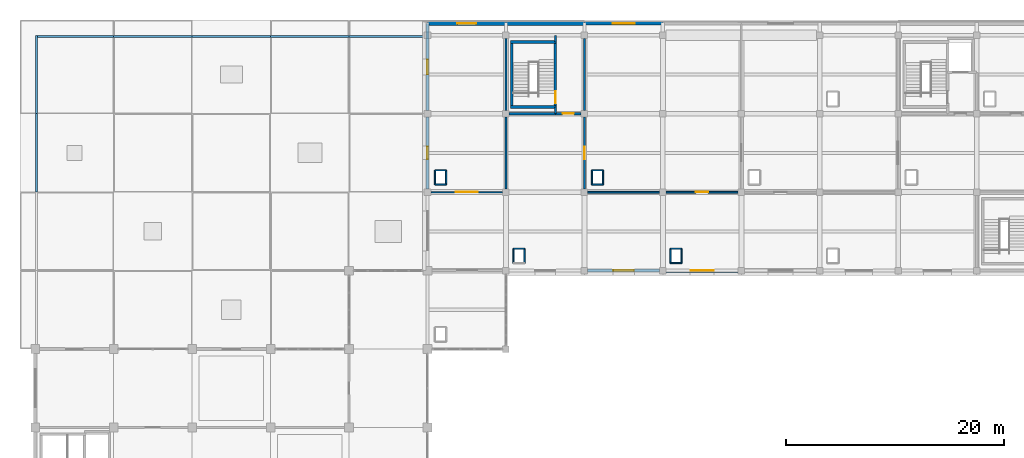
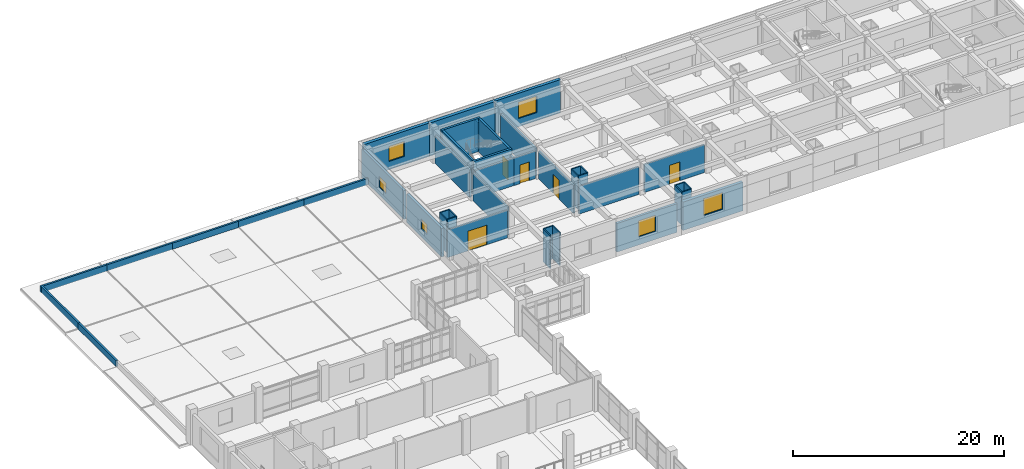
# One storey, part 52 of 62: 44 walls, 6 windows, 5 doors, 11 openings.
"""IFC4 building model written with IfcOpenShell, lengths in metres."""

import ifcopenshell
import ifcopenshell.guid

model = None  # the IFC model being written
_history = None  # IfcOwnerHistory: only IFC2X3 demands one
_inside = {}  # id of a spatial element -> (the spatial element, [elements in it])
_under = {}  # id of a project, library or spatial element -> (it, [spatial elements below it])
_declared = {}  # id of a project -> (the project, [libraries it declares])
_typed = {}  # id of a type object -> (the type object, [elements of that type])
_made_of = {}  # id of a material, layer set ... -> (it, [elements and type objects made of it])


def new_model(schema):
    """Start an empty IFC model of exactly this schema.

    Asked for "IFC4X3", IfcOpenShell would pick the latest addendum, in which some entities
    have other attributes; the version numbers below select the first issue.
    IFC2X3 requires an IfcOwnerHistory on every rooted entity: one is made here for all.
    """
    global model, _history
    if schema == "IFC4X3":
        model = ifcopenshell.file(schema_version=(4, 3, 0, 0))
    else:
        model = ifcopenshell.file(schema=schema)
    _inside.clear()
    _under.clear()
    _declared.clear()
    _typed.clear()
    _made_of.clear()
    _history = None
    if model.schema == "IFC2X3":
        org = make("IfcOrganization", Name="unknown")
        user = make(
            "IfcPersonAndOrganization",
            ThePerson=make("IfcPerson", FamilyName="unknown"),
            TheOrganization=org,
        )
        app = make(
            "IfcApplication",
            ApplicationDeveloper=org,
            Version="unknown",
            ApplicationFullName="unknown",
            ApplicationIdentifier="unknown",
        )
        _history = make(
            "IfcOwnerHistory",
            OwningUser=user,
            OwningApplication=app,
            ChangeAction="ADDED",
            CreationDate=0,
        )
    return model


def make(cls, **values):
    """One entity of the class cls with the attributes given. An attribute that is None is left unset."""
    return model.create_entity(
        cls, **{name: value for name, value in values.items() if value is not None}
    )


def rooted(cls, **values):
    """An entity with a GlobalId (a new one), such as an element, a storey or a relation."""
    return make(cls, GlobalId=ifcopenshell.guid.new(), OwnerHistory=_history, **values)


def si_unit(unit_type, name, prefix=None):
    """IfcSIUnit, for example si_unit("LENGTHUNIT", "METRE", prefix="MILLI")."""
    return make("IfcSIUnit", UnitType=unit_type, Prefix=prefix, Name=name)


def assignment(units):
    """IfcUnitAssignment: the units of a project."""
    return None if units is None else make("IfcUnitAssignment", Units=units)


def point(xyz):
    """IfcCartesianPoint."""
    return None if xyz is None else make("IfcCartesianPoint", Coordinates=xyz)


def direction(xyz):
    """IfcDirection."""
    return None if xyz is None else make("IfcDirection", DirectionRatios=xyz)


def frame(location, z_axis=None, x_axis=None):
    """IfcAxis2Placement3D, a coordinate frame: its origin and axes. An axis left out is left unset."""
    return make(
        "IfcAxis2Placement3D",
        Location=point(location),
        Axis=direction(z_axis),
        RefDirection=direction(x_axis),
    )


def frame_2d(location, x_axis=None):
    """IfcAxis2Placement2D, a coordinate frame in the plane: its origin and x axis."""
    return make(
        "IfcAxis2Placement2D", Location=point(location), RefDirection=direction(x_axis)
    )


def origin():
    """The frame at (0, 0, 0) with its axes left unset."""
    return frame((0.0, 0.0, 0.0))


def place(relative_to, where):
    """IfcLocalPlacement: puts the frame where relative to a parent placement (None: the world)."""
    return make(
        "IfcLocalPlacement", PlacementRelTo=relative_to, RelativePlacement=where
    )


def context(
    kind, dimensions, precision=None, world=None, true_north=None, identifier=None
):
    """IfcGeometricRepresentationContext, for example the 3D "Model" context."""
    return make(
        "IfcGeometricRepresentationContext",
        ContextIdentifier=identifier,
        ContextType=kind,
        CoordinateSpaceDimension=dimensions,
        Precision=precision,
        WorldCoordinateSystem=world,
        TrueNorth=true_north,
    )


def subcontext(parent, identifier, kind, view, scale=None):
    """IfcGeometricRepresentationSubContext, for example "Body" below "Model"."""
    return make(
        "IfcGeometricRepresentationSubContext",
        ContextIdentifier=identifier,
        ContextType=kind,
        ParentContext=parent,
        TargetScale=scale,
        TargetView=view,
    )


def project(units=None, contexts=None):
    """IfcProject with its units and contexts."""
    return rooted(
        "IfcProject",
        Name="project",
        RepresentationContexts=contexts,
        UnitsInContext=assignment(units),
    )


def spatial(cls, under=None, at=None, **own):
    """A site, building, storey or space (cls), placed at a placement, below another one or the project."""
    s = rooted(cls, ObjectPlacement=at, **own)
    if under is not None:
        _under.setdefault(under.id(), (under, []))[1].append(s)
    return s


def profile(cls, at=None, kind="AREA", **sizes):
    """A parametric profile (cls). Its sizes go by their IFC names, for example OverallWidth=200.0."""
    return make(cls, ProfileType=kind, Position=at, **sizes)


def rectangle(**sizes):
    """IfcRectangleProfileDef."""
    return profile("IfcRectangleProfileDef", **sizes)


def extrude(swept, where, along, depth):
    """IfcExtrudedAreaSolid: the profile swept, set in the frame where, extruded along a direction by depth."""
    return make(
        "IfcExtrudedAreaSolid",
        SweptArea=swept,
        Position=where,
        ExtrudedDirection=direction(along),
        Depth=depth,
    )


def shape(context_of_items, identifier, shape_type, items):
    """IfcShapeRepresentation: the items that make up one representation, for example the "Body"."""
    return make(
        "IfcShapeRepresentation",
        ContextOfItems=context_of_items,
        RepresentationIdentifier=identifier,
        RepresentationType=shape_type,
        Items=items,
    )


def material(Name=None, Category=None):
    """IfcMaterial."""
    return make("IfcMaterial", Name=Name, Category=Category)


def layer(
    of_material, thickness, ventilated=None, Name=None, Category=None, Priority=None
):
    """IfcMaterialLayer: one layer of a wall or slab, of a material (None: an air gap)."""
    return make(
        "IfcMaterialLayer",
        Material=of_material,
        LayerThickness=thickness,
        IsVentilated=ventilated,
        Name=Name,
        Category=Category,
        Priority=Priority,
    )


def layer_set(layers, Name=None):
    """IfcMaterialLayerSet."""
    return make("IfcMaterialLayerSet", MaterialLayers=layers, LayerSetName=Name)


def made_of(thing, what):
    """Note that an element or type object is made of a material, layer set ...; save() writes the relation."""
    if what is not None:
        _made_of.setdefault(what.id(), (what, []))[1].append(thing)
    return thing


def type_object(cls, material=None, **own):
    """A type object (cls), such as IfcWallType, which elements share."""
    return made_of(rooted(cls, **own), material)


def element(
    cls,
    number,
    at=None,
    inside=None,
    cuts=None,
    type_object=None,
    material=None,
    context=None,
    identifier="Body",
    shape_type=None,
    held_by="IfcProductDefinitionShape",
    body=None,
    shapes=None,
    **own,
):
    """One element of the class cls, such as IfcWall. Its Tag is "e" and its number.

    at: its placement. inside: the storey or other place that contains it. cuts: it is an
    opening in that element (IfcRelVoidsElement). A single representation is given by context,
    identifier, shape_type and body (its items); several are given by shapes. held_by: the class
    of the entity that holds the representations. save() writes the other relations.
    """
    e = rooted(cls, Tag="e%d" % number, ObjectPlacement=at, **own)
    if body is not None:
        shapes = [shape(context, identifier, shape_type, body)]
    if shapes is not None:
        e.Representation = make(held_by, Representations=shapes)
    if inside is not None:
        _inside.setdefault(inside.id(), (inside, []))[1].append(e)
    if cuts is not None:
        rooted(
            "IfcRelVoidsElement", RelatingBuildingElement=cuts, RelatedOpeningElement=e
        )
    if type_object is not None:
        _typed.setdefault(type_object.id(), (type_object, []))[1].append(e)
    return made_of(e, material)


def fill(opening, filler):
    """IfcRelFillsElement: the door or window that sits in an opening."""
    return rooted(
        "IfcRelFillsElement",
        RelatingOpeningElement=opening,
        RelatedBuildingElement=filler,
    )


def aggregate(whole, parts):
    """IfcRelAggregates: a whole, such as a stair, and the parts it consists of."""
    return rooted("IfcRelAggregates", RelatingObject=whole, RelatedObjects=parts)


def save(model, path):
    """Write the relations noted so far, then the file.

    IfcRelAggregates (storeys below a building ...), IfcRelContainedInSpatialStructure (elements
    in a storey), IfcRelDefinesByType, IfcRelAssociatesMaterial and IfcRelDeclares: one each for
    every whole, place, type object, material and project.
    """
    for whole, parts in _under.values():
        aggregate(whole, parts)
    for where, things in _inside.values():
        rooted(
            "IfcRelContainedInSpatialStructure",
            RelatedElements=things,
            RelatingStructure=where,
        )
    for kind, things in _typed.values():
        rooted("IfcRelDefinesByType", RelatedObjects=things, RelatingType=kind)
    for what, things in _made_of.values():
        rooted("IfcRelAssociatesMaterial", RelatedObjects=things, RelatingMaterial=what)
    for by, libraries in _declared.values():
        rooted("IfcRelDeclares", RelatingContext=by, RelatedDefinitions=libraries)
    model.write(path)


model = new_model("IFC4")

# Units and contexts
model_context = context("Model", 3, precision=1e-05, world=origin(), true_north=direction((0.0, 1.0)))
body_context = subcontext(model_context, "Body", "Model", "MODEL_VIEW")
ifc_project = project(units=[si_unit("LENGTHUNIT", "METRE"), si_unit("AREAUNIT", "SQUARE_METRE"), si_unit("VOLUMEUNIT", "CUBIC_METRE"), si_unit("PLANEANGLEUNIT", "RADIAN"), si_unit("MASSUNIT", "GRAM", prefix="KILO")], contexts=[model_context])

# Site, building, storey
site_placement = place(None, origin())
site = spatial("IfcSite", under=ifc_project, at=site_placement, CompositionType="ELEMENT")
building_placement = place(site_placement, origin())
building = spatial("IfcBuilding", under=site, at=building_placement, Name="Kavelor Marine Aquarium", CompositionType="ELEMENT")
storey_placement = place(building_placement, frame((0.0, 0.0, 13.5)))
storey = spatial("IfcBuildingStorey", under=building, at=storey_placement, Name="L03", CompositionType="ELEMENT", Elevation=13.5)

# Wall
ifc_material_1 = material(Name="Concrete C45/55", Category="concrete")
ifc_layer_1 = layer(ifc_material_1, 0.360107421875)
ifc_layer_set_1 = layer_set([ifc_layer_1], Name="WL-EX1")
wall_type_1 = type_object("IfcWallType", Name="WL-EX1", PredefinedType="STANDARD", material=ifc_layer_set_1)
wall_1_placement = place(storey_placement, frame((46.39990234375, 111.8798828125, 0.0), z_axis=(0.0, 0.0, 1.0), x_axis=(1.0, 0.0, 0.0)))
element("IfcWall", 1, at=wall_1_placement, inside=storey, type_object=wall_type_1, Name="ew:x:L03:06_15", PredefinedType="STANDARD", context=body_context, shape_type="SweptSolid", body=[
    extrude(rectangle(XDim=7.2001953125, YDim=0.360107421875, at=frame_2d((3.60009765625, 0.0))), origin(), (0.0, 0.0, 1.0), 3.85009765625),
])

# Wall, opening, window
ifc_material_2 = material(Name="Concrete C45/55", Category="concrete")
ifc_layer_2 = layer(ifc_material_2, 0.320068359375)
ifc_layer_set_2 = layer_set([ifc_layer_2], Name="WL-EX2")
wall_type_2 = type_object("IfcWallType", Name="WL-EX2", PredefinedType="STANDARD", material=ifc_layer_set_2)
wall_2_placement = place(storey_placement, frame((53.60009765625, 111.8798828125, 0.0), z_axis=(0.0, 0.0, 1.0), x_axis=(1.0, 0.0, 0.0)))
wall_2 = element("IfcWall", 2, at=wall_2_placement, inside=storey, type_object=wall_type_2, Name="ew:x:L03:07_15", PredefinedType="STANDARD", context=body_context, shape_type="SweptSolid", body=[
    extrude(rectangle(XDim=7.199951171875, YDim=0.320068359375, at=frame_2d((3.60009765625, 0.0))), origin(), (0.0, 0.0, 1.0), 3.8701171875),
])
opening_1_placement = place(wall_2_placement, frame((2.60009765625, 0.0, 0.949951171875)))
opening_1 = element("IfcOpeningElement", 3, at=opening_1_placement, cuts=wall_2, Name="Opening W10", PredefinedType="OPENING", context=body_context, shape_type="SweptSolid", body=[
    extrude(rectangle(XDim=2.0, YDim=1.89990234375, at=frame_2d((1.0, 0.949951171875))), frame((0.0, 0.169921875, 0.0), z_axis=(0.0, -1.0, 0.0), x_axis=(1.0, 0.0, 0.0)), (0.0, 0.0, 1.0), 0.340068),
])
ifc_material_3 = material(Name="Anodised Aluminium Frame with Low-E Double Glazing", Category="aluminium")
window_type_1 = type_object("IfcWindowType", Name="WIN-W10", PartitioningType="DOUBLE_PANEL_VERTICAL", PredefinedType="WINDOW", material=ifc_material_3)
window_1_placement = place(opening_1_placement, origin())
window_1 = element("IfcWindow", 4, at=window_1_placement, inside=storey, type_object=window_type_1, Name="win:x:L03:07_15", OverallHeight=1.89990234375, OverallWidth=2.0, PartitioningType="SINGLE_PANEL", PredefinedType="WINDOW", context=body_context, shape_type="SweptSolid", body=[
    extrude(rectangle(XDim=2.0, YDim=1.89990234375, at=frame_2d((1.0, 0.949951171875))), frame((0.0, 0.030029296875, 0.0), z_axis=(0.0, -1.0, 0.0), x_axis=(1.0, 0.0, 0.0)), (0.0, 0.0, 1.0), 0.06005859375),
])
fill(opening_1, window_1)

ifc_material_4 = material(Name="Concrete C40/50", Category="concrete")
ifc_layer_3 = layer(ifc_material_4, 0.280029296875)
ifc_layer_set_3 = layer_set([ifc_layer_3], Name="WL-EX4")
wall_type_3 = type_object("IfcWallType", Name="WL-EX4", PredefinedType="STANDARD", material=ifc_layer_set_3)
wall_3_placement = place(storey_placement, frame((39.199951171875, 96.695068359375, 0.0), z_axis=(0.0, 0.0, 1.0), x_axis=(0.0, 1.0, 0.0)))
wall_3 = element("IfcWall", 5, at=wall_3_placement, inside=storey, type_object=wall_type_3, Name="ew:y:L03:05_13", PredefinedType="STANDARD", context=body_context, shape_type="SweptSolid", body=[
    extrude(rectangle(XDim=6.60986328125, YDim=0.280029296875, at=frame_2d((3.304931640625, 0.0))), origin(), (0.0, 0.0, 1.0), 3.320068359375),
])
opening_2_placement = place(wall_3_placement, frame((2.72998046875, 0.0, 0.949951171875)))
opening_2 = element("IfcOpeningElement", 6, at=opening_2_placement, cuts=wall_3, Name="Opening W25", PredefinedType="OPENING", context=body_context, shape_type="SweptSolid", body=[
    extrude(rectangle(XDim=1.14990234375, YDim=1.14990234375, at=frame_2d((0.574951171875, 0.574951171875))), frame((0.0, 0.14990234375, 0.0), z_axis=(0.0, -1.0, 0.0), x_axis=(1.0, 0.0, 0.0)), (0.0, 0.0, 1.0), 0.300029),
])
ifc_material_5 = material(Name="Anodised Aluminium Frame with Low-E Double Glazing", Category="aluminium")
window_type_2 = type_object("IfcWindowType", Name="WIN-W25", PartitioningType="SINGLE_PANEL", PredefinedType="WINDOW", material=ifc_material_5)
window_2_placement = place(opening_2_placement, origin())
window_2 = element("IfcWindow", 7, at=window_2_placement, inside=storey, type_object=window_type_2, Name="win:y:L03:05_13", OverallHeight=1.14990234375, OverallWidth=1.14990234375, PartitioningType="SINGLE_PANEL", PredefinedType="WINDOW", context=body_context, shape_type="SweptSolid", body=[
    extrude(rectangle(XDim=1.14990234375, YDim=1.14990234375, at=frame_2d((0.574951171875, 0.574951171875))), frame((0.0, 0.030029296875, 0.0), z_axis=(0.0, -1.0, 0.0), x_axis=(1.0, 0.0, 0.0)), (0.0, 0.0, 1.0), 0.06005859375),
])
fill(opening_2, window_2)

ifc_material_6 = material(Name="Concrete C40/50", Category="concrete")
ifc_layer_4 = layer(ifc_material_6, 0.260009765625)
ifc_layer_set_4 = layer_set([ifc_layer_4], Name="WL-EX5")
wall_type_4 = type_object("IfcWallType", Name="WL-EX5", PredefinedType="STANDARD", material=ifc_layer_set_4)
wall_4_placement = place(storey_placement, frame((60.5048828125, 89.199951171875, 0.0), z_axis=(0.0, 0.0, 1.0), x_axis=(-1.0, 0.0, 0.0)))
wall_4 = element("IfcWall", 8, at=wall_4_placement, inside=storey, type_object=wall_type_4, Name="ew:x:L03:07_12", PredefinedType="STANDARD", context=body_context, shape_type="SweptSolid", body=[
    extrude(rectangle(XDim=6.60986328125, YDim=0.260009765625, at=frame_2d((3.304931640625, 0.0))), origin(), (0.0, 0.0, 1.0), 3.320068359375),
])
opening_3_placement = place(wall_4_placement, frame((2.35498046875, 0.0, 0.949951171875)))
opening_3 = element("IfcOpeningElement", 9, at=opening_3_placement, cuts=wall_4, Name="Opening W09", PredefinedType="OPENING", context=body_context, shape_type="SweptSolid", body=[
    extrude(rectangle(XDim=1.89990234375, YDim=1.85009765625, at=frame_2d((0.949951171875, 0.925048828125))), frame((0.0, 0.139892578125, 0.0), z_axis=(0.0, -1.0, 0.0), x_axis=(1.0, 0.0, 0.0)), (0.0, 0.0, 1.0), 0.28001),
])
ifc_material_7 = material(Name="Anodised Aluminium Frame with Low-E Double Glazing", Category="aluminium")
window_type_3 = type_object("IfcWindowType", Name="WIN-W09", PartitioningType="DOUBLE_PANEL_VERTICAL", PredefinedType="WINDOW", material=ifc_material_7)
window_3_placement = place(opening_3_placement, origin())
window_3 = element("IfcWindow", 10, at=window_3_placement, inside=storey, type_object=window_type_3, Name="win:x:L03:07_12", OverallHeight=1.85009765625, OverallWidth=1.89990234375, PartitioningType="SINGLE_PANEL", PredefinedType="WINDOW", context=body_context, shape_type="SweptSolid", body=[
    extrude(rectangle(XDim=1.89990234375, YDim=1.85009765625, at=frame_2d((0.949951171875, 0.925048828125))), frame((0.0, 0.030029296875, 0.0), z_axis=(0.0, -1.0, 0.0), x_axis=(1.0, 0.0, 0.0)), (0.0, 0.0, 1.0), 0.06005859375),
])
fill(opening_3, window_3)

wall_5_placement = place(storey_placement, frame((39.199951171875, 103.89501953125, 0.0), z_axis=(0.0, 0.0, 1.0), x_axis=(0.0, 1.0, 0.0)))
wall_5 = element("IfcWall", 11, at=wall_5_placement, inside=storey, type_object=wall_type_4, Name="ew:y:L03:05_14", PredefinedType="STANDARD", context=body_context, shape_type="SweptSolid", body=[
    extrude(rectangle(XDim=7.98486328125, YDim=0.260009765625, at=frame_2d((3.992431640625, 0.0))), origin(), (0.0, 0.0, 1.0), 3.320068359375),
])
opening_4_placement = place(wall_5_placement, frame((3.3173828125, 0.0, 0.949951171875)))
opening_4 = element("IfcOpeningElement", 12, at=opening_4_placement, cuts=wall_5, Name="Opening W26", PredefinedType="OPENING", context=body_context, shape_type="SweptSolid", body=[
    extrude(rectangle(XDim=1.35009765625, YDim=1.199951171875, at=frame_2d((0.675048828125, 0.60009765625))), frame((0.0, 0.139892578125, 0.0), z_axis=(0.0, -1.0, 0.0), x_axis=(1.0, 0.0, 0.0)), (0.0, 0.0, 1.0), 0.28001),
])
ifc_material_8 = material(Name="Anodised Aluminium Frame with Low-E Double Glazing", Category="aluminium")
window_type_4 = type_object("IfcWindowType", Name="WIN-W26", PartitioningType="SINGLE_PANEL", PredefinedType="WINDOW", material=ifc_material_8)
window_4_placement = place(opening_4_placement, origin())
window_4 = element("IfcWindow", 13, at=window_4_placement, inside=storey, type_object=window_type_4, Name="win:y:L03:05_14", OverallHeight=1.199951171875, OverallWidth=1.35009765625, PartitioningType="SINGLE_PANEL", PredefinedType="WINDOW", context=body_context, shape_type="SweptSolid", body=[
    extrude(rectangle(XDim=1.35009765625, YDim=1.199951171875, at=frame_2d((0.675048828125, 0.60009765625))), frame((0.0, 0.030029296875, 0.0), z_axis=(0.0, -1.0, 0.0), x_axis=(1.0, 0.0, 0.0)), (0.0, 0.0, 1.0), 0.06005859375),
])
fill(opening_4, window_4)

ifc_material_9 = material(Name="Concrete C45/55", Category="concrete")
ifc_layer_5 = layer(ifc_material_9, 0.340087890625)
ifc_layer_set_5 = layer_set([ifc_layer_5], Name="WL-EX6")
wall_type_5 = type_object("IfcWallType", Name="WL-EX6", PredefinedType="STANDARD", material=ifc_layer_set_5)
wall_6_placement = place(storey_placement, frame((39.199951171875, 111.8798828125, 0.0), z_axis=(0.0, 0.0, 1.0), x_axis=(1.0, 0.0, 0.0)))
wall_6 = element("IfcWall", 14, at=wall_6_placement, inside=storey, type_object=wall_type_5, Name="ew:x:L03:05_15", PredefinedType="STANDARD", context=body_context, shape_type="SweptSolid", body=[
    extrude(rectangle(XDim=7.199951171875, YDim=0.340087890625, at=frame_2d((3.60009765625, 0.0))), origin(), (0.0, 0.0, 1.0), 3.8701171875),
])
opening_5_placement = place(wall_6_placement, frame((2.75, 0.0, 0.949951171875)))
opening_5 = element("IfcOpeningElement", 15, at=opening_5_placement, cuts=wall_6, Name="Opening W07", PredefinedType="OPENING", context=body_context, shape_type="SweptSolid", body=[
    extrude(rectangle(XDim=1.699951171875, YDim=1.75, at=frame_2d((0.85009765625, 0.875))), frame((0.0, 0.179931640625, 0.0), z_axis=(0.0, -1.0, 0.0), x_axis=(1.0, 0.0, 0.0)), (0.0, 0.0, 1.0), 0.360088),
])
ifc_material_10 = material(Name="Anodised Aluminium Frame with Low-E Double Glazing", Category="aluminium")
window_type_5 = type_object("IfcWindowType", Name="WIN-W07", PartitioningType="SINGLE_PANEL", PredefinedType="WINDOW", material=ifc_material_10)
window_5_placement = place(opening_5_placement, origin())
window_5 = element("IfcWindow", 16, at=window_5_placement, inside=storey, type_object=window_type_5, Name="win:x:L03:05_15", OverallHeight=1.75, OverallWidth=1.699951171875, PartitioningType="SINGLE_PANEL", PredefinedType="WINDOW", context=body_context, shape_type="SweptSolid", body=[
    extrude(rectangle(XDim=1.699951171875, YDim=1.75, at=frame_2d((0.85009765625, 0.875))), frame((0.0, 0.030029296875, 0.0), z_axis=(0.0, -1.0, 0.0), x_axis=(1.0, 0.0, 0.0)), (0.0, 0.0, 1.0), 0.06005859375),
])
fill(opening_5, window_5)

wall_7_placement = place(storey_placement, frame((67.705078125, 89.199951171875, 0.0), z_axis=(0.0, 0.0, 1.0), x_axis=(-1.0, 0.0, 0.0)))
wall_7 = element("IfcWall", 17, at=wall_7_placement, inside=storey, type_object=wall_type_5, Name="ew:x:L03:08_12", PredefinedType="STANDARD", context=body_context, shape_type="SweptSolid", body=[
    extrude(rectangle(XDim=6.610107421875, YDim=0.340087890625, at=frame_2d((3.30517578125, 0.0))), origin(), (0.0, 0.0, 1.0), 3.300048828125),
])
opening_6_placement = place(wall_7_placement, frame((2.2548828125, 0.0, 0.949951171875)))
opening_6 = element("IfcOpeningElement", 18, at=opening_6_placement, cuts=wall_7, Name="Opening W11", PredefinedType="OPENING", context=body_context, shape_type="SweptSolid", body=[
    extrude(rectangle(XDim=2.10009765625, YDim=1.949951171875, at=frame_2d((1.050048828125, 0.97509765625))), frame((0.0, 0.179931640625, 0.0), z_axis=(0.0, -1.0, 0.0), x_axis=(1.0, 0.0, 0.0)), (0.0, 0.0, 1.0), 0.360088),
])
ifc_material_11 = material(Name="Anodised Aluminium Frame with Low-E Double Glazing", Category="aluminium")
window_type_6 = type_object("IfcWindowType", Name="WIN-W11", PartitioningType="DOUBLE_PANEL_VERTICAL", PredefinedType="WINDOW", material=ifc_material_11)
window_6_placement = place(opening_6_placement, origin())
window_6 = element("IfcWindow", 19, at=window_6_placement, inside=storey, type_object=window_type_6, Name="win:x:L03:08_12", OverallHeight=1.949951171875, OverallWidth=2.10009765625, PartitioningType="SINGLE_PANEL", PredefinedType="WINDOW", context=body_context, shape_type="SweptSolid", body=[
    extrude(rectangle(XDim=2.10009765625, YDim=1.949951171875, at=frame_2d((1.050048828125, 0.97509765625))), frame((0.0, 0.030029296875, 0.0), z_axis=(0.0, -1.0, 0.0), x_axis=(1.0, 0.0, 0.0)), (0.0, 0.0, 1.0), 0.06005859375),
])
fill(opening_6, window_6)

# Walls
ifc_material_12 = material(Name="Concrete C40/50", Category="concrete")
ifc_layer_6 = layer(ifc_material_12, 0.199951171875)
ifc_layer_set_6 = layer_set([ifc_layer_6], Name="WL-PR3")
wall_type_6 = type_object("IfcWallType", Name="WL-PR3", PredefinedType="PARAPET", material=ifc_layer_set_6)
wall_8_placement = place(storey_placement, frame((3.320068359375, 96.39990234375, 0.0), z_axis=(0.0, 0.0, 1.0), x_axis=(0.0, 1.0, 0.0)))
element("IfcWall", 20, at=wall_8_placement, inside=storey, type_object=wall_type_6, Name="par:w:L03:00_13", PredefinedType="PARAPET", context=body_context, shape_type="SweptSolid", body=[
    extrude(rectangle(XDim=7.2001953125, YDim=0.199951171875, at=frame_2d((3.60009765625, 0.0))), origin(), (0.0, 0.0, 1.0), 0.719970703125),
])
for number, where, z_axis, x_axis, name in (
    (21, (3.199951171875, 110.679931640625, 0.0), (0.0, 0.0, 1.0), (1.0, 0.0, 0.0), "par:n:L03:00_14"),
    (22, (3.320068359375, 103.60009765625, 0.0), (0.0, 0.0, 1.0), (0.0, 1.0, 0.0), "par:w:L03:00_14"),
):
    element("IfcWall", number, at=place(storey_placement, frame(where, z_axis=z_axis, x_axis=x_axis)), inside=storey, type_object=wall_type_6, Name=name, PredefinedType="PARAPET", context=body_context, shape_type="SweptSolid", body=[
        extrude(rectangle(XDim=7.199951171875, YDim=0.199951171875, at=frame_2d((3.60009765625, 0.0))), origin(), (0.0, 0.0, 1.0), 0.719970703125),
    ])
wall_9_placement = place(storey_placement, frame((10.39990234375, 110.679931640625, 0.0), z_axis=(0.0, 0.0, 1.0), x_axis=(1.0, 0.0, 0.0)))
element("IfcWall", 23, at=wall_9_placement, inside=storey, type_object=wall_type_6, Name="par:n:L03:01_14", PredefinedType="PARAPET", context=body_context, shape_type="SweptSolid", body=[
    extrude(rectangle(XDim=7.2001953125, YDim=0.199951171875, at=frame_2d((3.60009765625, 0.0))), origin(), (0.0, 0.0, 1.0), 0.719970703125),
])
for number, where, z_axis, x_axis, name in (
    (24, (17.60009765625, 110.679931640625, 0.0), (0.0, 0.0, 1.0), (1.0, 0.0, 0.0), "par:n:L03:02_14"),
    (25, (24.800048828125, 110.679931640625, 0.0), (0.0, 0.0, 1.0), (1.0, 0.0, 0.0), "par:n:L03:03_14"),
    (26, (32.0, 110.679931640625, 0.0), (0.0, 0.0, 1.0), (1.0, 0.0, 0.0), "par:n:L03:04_14"),
):
    element("IfcWall", number, at=place(storey_placement, frame(where, z_axis=z_axis, x_axis=x_axis)), inside=storey, type_object=wall_type_6, Name=name, PredefinedType="PARAPET", context=body_context, shape_type="SweptSolid", body=[
        extrude(rectangle(XDim=7.199951171875, YDim=0.199951171875, at=frame_2d((3.60009765625, 0.0))), origin(), (0.0, 0.0, 1.0), 0.719970703125),
    ])
ifc_material_13 = material(Name="Concrete Blockwork Partition", Category="masonry")
ifc_layer_7 = layer(ifc_material_13, 0.199951171875)
ifc_layer_set_7 = layer_set([ifc_layer_7], Name="WL-PT1")
wall_type_7 = type_object("IfcWallType", Name="WL-PT1", PredefinedType="PARTITIONING", material=ifc_layer_set_7)
wall_10_placement = place(storey_placement, frame((50.93994140625, 103.60009765625, 0.0), z_axis=(0.0, 0.0, 1.0), x_axis=(0.0, 1.0, 0.0)))
element("IfcWall", 27, at=wall_10_placement, inside=storey, type_object=wall_type_7, Name="pt:st_close:s:C05:L03", PredefinedType="PARTITIONING", context=body_context, shape_type="SweptSolid", body=[
    extrude(rectangle(XDim=0.619873046875, YDim=0.199951171875, at=frame_2d((0.31005859375, 0.0))), origin(), (0.0, 0.0, 1.0), 3.199951171875),
])
wall_11_placement = place(storey_placement, frame((50.93994140625, 110.179931640625, 0.0), z_axis=(0.0, 0.0, 1.0), x_axis=(0.0, 1.0, 0.0)))
element("IfcWall", 28, at=wall_11_placement, inside=storey, type_object=wall_type_7, Name="pt:st_close:n:C05:L03", PredefinedType="PARTITIONING", context=body_context, shape_type="SweptSolid", body=[
    extrude(rectangle(XDim=0.6201171875, YDim=0.199951171875, at=frame_2d((0.31005859375, 0.0))), origin(), (0.0, 0.0, 1.0), 3.300048828125),
])
for number, where, z_axis, x_axis, name in (
    (29, (46.39990234375, 103.89990234375, 0.0), (0.0, 0.0, 1.0), (0.0, 1.0, 0.0), "pt:lob:C05:L03:w"),
    (30, (53.60009765625, 103.89990234375, 0.0), (0.0, 0.0, 1.0), (0.0, 1.0, 0.0), "pt:lob:C05:L03:e"),
):
    element("IfcWall", number, at=place(storey_placement, frame(where, z_axis=z_axis, x_axis=x_axis)), inside=storey, type_object=wall_type_7, Name=name, PredefinedType="PARTITIONING", context=body_context, shape_type="SweptSolid", body=[
        extrude(rectangle(XDim=6.60009765625, YDim=0.199951171875, at=frame_2d((3.300048828125, 0.0))), origin(), (0.0, 0.0, 1.0), 3.199951171875),
    ])
wall_12_placement = place(storey_placement, frame((46.699951171875, 103.60009765625, 0.0), z_axis=(0.0, 0.0, 1.0), x_axis=(1.0, 0.0, 0.0)))
element("IfcWall", 31, at=wall_12_placement, inside=storey, type_object=wall_type_7, Name="pt:lob:C05:L03:s_st", PredefinedType="PARTITIONING", context=body_context, shape_type="SweptSolid", body=[
    extrude(rectangle(XDim=4.239990234375, YDim=0.199951171875, at=frame_2d((2.1201171875, 0.0))), origin(), (0.0, 0.0, 1.0), 3.199951171875),
])

# Wall, opening, door
wall_13_placement = place(storey_placement, frame((50.93994140625, 103.60009765625, 0.0), z_axis=(0.0, 0.0, 1.0), x_axis=(1.0, 0.0, 0.0)))
wall_13 = element("IfcWall", 32, at=wall_13_placement, inside=storey, type_object=wall_type_7, Name="pt:lob:C05:L03:s", PredefinedType="PARTITIONING", context=body_context, shape_type="SweptSolid", body=[
    extrude(rectangle(XDim=2.360107421875, YDim=0.199951171875, at=frame_2d((1.18017578125, 0.0))), origin(), (0.0, 0.0, 1.0), 3.199951171875),
])
opening_7_placement = place(wall_13_placement, frame((0.669921875, 0.0, 0.0)))
opening_7 = element("IfcOpeningElement", 33, at=opening_7_placement, cuts=wall_13, Name="Opening SD1", PredefinedType="OPENING", context=body_context, shape_type="SweptSolid", body=[
    extrude(rectangle(XDim=1.02001953125, YDim=2.14990234375, at=frame_2d((0.510009765625, 1.074951171875))), frame((0.0, 0.10986328125, 0.0), z_axis=(0.0, -1.0, 0.0), x_axis=(1.0, 0.0, 0.0)), (0.0, 0.0, 1.0), 0.219951),
])
ifc_material_14 = material(Name="Fire-Rated Corridor Compartment Door")
door_type_1 = type_object("IfcDoorType", Name="DR-SD1", OperationType="NOTDEFINED", PredefinedType="DOOR", material=ifc_material_14)
door_1_placement = place(opening_7_placement, origin())
door_1 = element("IfcDoor", 34, at=door_1_placement, inside=storey, type_object=door_type_1, Name="Core Lobby Fire Door C05-L03", OperationType="SINGLE_SWING_RIGHT", OverallHeight=2.14990234375, OverallWidth=1.02001953125, PredefinedType="DOOR", context=body_context, shape_type="SweptSolid", body=[
    extrude(rectangle(XDim=1.02001953125, YDim=2.14990234375, at=frame_2d((0.510009765625, 1.074951171875))), frame((0.0, 0.02490234375, 0.0), z_axis=(0.0, -1.0, 0.0), x_axis=(1.0, 0.0, 0.0)), (0.0, 0.0, 1.0), 0.050048828125),
])
fill(opening_7, door_1)

ifc_material_15 = material(Name="Acoustic Gypsum Stud Partition")
ifc_layer_8 = layer(ifc_material_15, 0.159912109375)
ifc_layer_set_8 = layer_set([ifc_layer_8], Name="WL-PT2")
wall_type_8 = type_object("IfcWallType", Name="WL-PT2", PredefinedType="PARTITIONING", material=ifc_layer_set_8)
wall_14_placement = place(storey_placement, frame((39.5, 96.39990234375, 0.0), z_axis=(0.0, 0.0, 1.0), x_axis=(1.0, 0.0, 0.0)))
wall_14 = element("IfcWall", 35, at=wall_14_placement, inside=storey, type_object=wall_type_8, Name="pt:x:L03:05_12", PredefinedType="PARTITIONING", context=body_context, shape_type="SweptSolid", body=[
    extrude(rectangle(XDim=6.60009765625, YDim=0.159912109375, at=frame_2d((3.300048828125, 0.0))), origin(), (0.0, 0.0, 1.0), 3.219970703125),
])
opening_8_placement = place(wall_14_placement, frame((2.27001953125, 0.0, 0.0)))
opening_8 = element("IfcOpeningElement", 36, at=opening_8_placement, cuts=wall_14, Name="Opening D14", PredefinedType="OPENING", context=body_context, shape_type="SweptSolid", body=[
    extrude(rectangle(XDim=2.06005859375, YDim=2.280029296875, at=frame_2d((1.030029296875, 1.14013671875))), frame((0.0, 0.08984375, 0.0), z_axis=(0.0, -1.0, 0.0), x_axis=(1.0, 0.0, 0.0)), (0.0, 0.0, 1.0), 0.179912),
])
ifc_material_16 = material(Name="LSS Filtration Equipment Double Door")
door_type_2 = type_object("IfcDoorType", Name="DR-D14", OperationType="NOTDEFINED", PredefinedType="DOOR", material=ifc_material_16)
door_2_placement = place(opening_8_placement, origin())
door_2 = element("IfcDoor", 37, at=door_2_placement, inside=storey, type_object=door_type_2, Name="dr:rm:pt:x:L03:05_12:0", OperationType="DOUBLE_DOOR_SINGLE_SWING", OverallHeight=2.280029296875, OverallWidth=2.06005859375, PredefinedType="DOOR", context=body_context, shape_type="SweptSolid", body=[
    extrude(rectangle(XDim=2.06005859375, YDim=2.280029296875, at=frame_2d((1.030029296875, 1.14013671875))), frame((0.0, 0.02490234375, 0.0), z_axis=(0.0, -1.0, 0.0), x_axis=(1.0, 0.0, 0.0)), (0.0, 0.0, 1.0), 0.050048828125),
])
fill(opening_8, door_2)

# Wall
wall_15_placement = place(storey_placement, frame((46.39990234375, 96.699951171875, 0.0), z_axis=(0.0, 0.0, 1.0), x_axis=(0.0, 1.0, 0.0)))
element("IfcWall", 38, at=wall_15_placement, inside=storey, type_object=wall_type_8, Name="pt:y:L03:05_13", PredefinedType="PARTITIONING", context=body_context, shape_type="SweptSolid", body=[
    extrude(rectangle(XDim=6.60009765625, YDim=0.159912109375, at=frame_2d((3.300048828125, 0.0))), origin(), (0.0, 0.0, 1.0), 3.25),
])

# Wall, opening, door
wall_16_placement = place(storey_placement, frame((53.60009765625, 96.699951171875, 0.0), z_axis=(0.0, 0.0, 1.0), x_axis=(0.0, 1.0, 0.0)))
wall_16 = element("IfcWall", 39, at=wall_16_placement, inside=storey, type_object=wall_type_8, Name="pt:y:L03:06_13", PredefinedType="PARTITIONING", context=body_context, shape_type="SweptSolid", body=[
    extrude(rectangle(XDim=6.60009765625, YDim=0.159912109375, at=frame_2d((3.300048828125, 0.0))), origin(), (0.0, 0.0, 1.0), 3.25),
])
opening_9_placement = place(wall_16_placement, frame((2.719970703125, 0.0, 0.0)))
opening_9 = element("IfcOpeningElement", 40, at=opening_9_placement, cuts=wall_16, Name="Opening D09", PredefinedType="OPENING", context=body_context, shape_type="SweptSolid", body=[
    extrude(rectangle(XDim=1.159912109375, YDim=2.179931640625, at=frame_2d((0.580078125, 1.08984375))), frame((0.0, 0.08984375, 0.0), z_axis=(0.0, -1.0, 0.0), x_axis=(1.0, 0.0, 0.0)), (0.0, 0.0, 1.0), 0.179912),
])
ifc_material_17 = material(Name="Husbandry Prep Marine Door")
door_type_3 = type_object("IfcDoorType", Name="DR-D09", OperationType="NOTDEFINED", PredefinedType="DOOR", material=ifc_material_17)
door_3_placement = place(opening_9_placement, origin())
door_3 = element("IfcDoor", 41, at=door_3_placement, inside=storey, type_object=door_type_3, Name="dr:rm:pt:y:L03:06_13:0", OperationType="SINGLE_SWING_LEFT", OverallHeight=2.179931640625, OverallWidth=1.159912109375, PredefinedType="DOOR", context=body_context, shape_type="SweptSolid", body=[
    extrude(rectangle(XDim=1.159912109375, YDim=2.179931640625, at=frame_2d((0.580078125, 1.08984375))), frame((0.0, 0.02490234375, 0.0), z_axis=(0.0, -1.0, 0.0), x_axis=(1.0, 0.0, 0.0)), (0.0, 0.0, 1.0), 0.050048828125),
])
fill(opening_9, door_3)

# Wall
wall_17_placement = place(storey_placement, frame((53.89990234375, 96.39990234375, 0.0), z_axis=(0.0, 0.0, 1.0), x_axis=(1.0, 0.0, 0.0)))
element("IfcWall", 42, at=wall_17_placement, inside=storey, type_object=wall_type_8, Name="pt:x:L03:07_12", PredefinedType="PARTITIONING", context=body_context, shape_type="SweptSolid", body=[
    extrude(rectangle(XDim=6.60009765625, YDim=0.159912109375, at=frame_2d((3.300048828125, 0.0))), origin(), (0.0, 0.0, 1.0), 3.219970703125),
])

# Wall, opening, door
wall_18_placement = place(storey_placement, frame((61.10009765625, 96.39990234375, 0.0), z_axis=(0.0, 0.0, 1.0), x_axis=(1.0, 0.0, 0.0)))
wall_18 = element("IfcWall", 43, at=wall_18_placement, inside=storey, type_object=wall_type_8, Name="pt:x:L03:08_12", PredefinedType="PARTITIONING", context=body_context, shape_type="SweptSolid", body=[
    extrude(rectangle(XDim=6.599853515625, YDim=0.159912109375, at=frame_2d((3.2998046875, 0.0))), origin(), (0.0, 0.0, 1.0), 3.25),
])
opening_10_placement = place(wall_18_placement, frame((2.719970703125, 0.0, 0.0)))
opening_10 = element("IfcOpeningElement", 44, at=opening_10_placement, cuts=wall_18, Name="Opening D09", PredefinedType="OPENING", context=body_context, shape_type="SweptSolid", body=[
    extrude(rectangle(XDim=1.159912109375, YDim=2.179931640625, at=frame_2d((0.580078125, 1.08984375))), frame((0.0, 0.08984375, 0.0), z_axis=(0.0, -1.0, 0.0), x_axis=(1.0, 0.0, 0.0)), (0.0, 0.0, 1.0), 0.179912),
])
door_4_placement = place(opening_10_placement, origin())
door_4 = element("IfcDoor", 45, at=door_4_placement, inside=storey, type_object=door_type_3, Name="dr:rm:pt:x:L03:08_12:1", OperationType="SINGLE_SWING_RIGHT", OverallHeight=2.179931640625, OverallWidth=1.159912109375, PredefinedType="DOOR", context=body_context, shape_type="SweptSolid", body=[
    extrude(rectangle(XDim=1.159912109375, YDim=2.179931640625, at=frame_2d((0.580078125, 1.08984375))), frame((0.0, 0.02490234375, 0.0), z_axis=(0.0, -1.0, 0.0), x_axis=(1.0, 0.0, 0.0)), (0.0, 0.0, 1.0), 0.050048828125),
])
fill(opening_10, door_4)

# Walls
ifc_material_18 = material(Name="Lightweight Drywall Partition")
ifc_layer_9 = layer(ifc_material_18, 0.1201171875)
ifc_layer_set_9 = layer_set([ifc_layer_9], Name="WL-PT4")
wall_type_9 = type_object("IfcWallType", Name="WL-PT4", PredefinedType="PARTITIONING", material=ifc_layer_set_9)
for number, where, z_axis, x_axis, name in (
    (46, (39.889892578125, 97.090087890625, 0.0), (0.0, 0.0, 1.0), (1.0, 0.0, 0.0), "riser:s:L03:05_13"),
    (47, (39.889892578125, 98.409912109375, 0.0), (0.0, 0.0, 1.0), (1.0, 0.0, 0.0), "riser:n:L03:05_13"),
):
    element("IfcWall", number, at=place(storey_placement, frame(where, z_axis=z_axis, x_axis=x_axis)), inside=storey, type_object=wall_type_9, Name=name, PredefinedType="PARTITIONING", context=body_context, shape_type="SweptSolid", body=[
        extrude(rectangle(XDim=1.02001953125, YDim=0.1201171875, at=frame_2d((0.510009765625, 0.0))), origin(), (0.0, 0.0, 1.0), 3.860107421875),
    ])
for number, where, z_axis, x_axis, name in (
    (48, (39.889892578125, 97.090087890625, 0.0), (0.0, 0.0, 1.0), (0.0, 1.0, 0.0), "riser:w:L03:05_13"),
    (49, (40.909912109375, 97.090087890625, 0.0), (0.0, 0.0, 1.0), (0.0, 1.0, 0.0), "riser:e:L03:05_13"),
):
    element("IfcWall", number, at=place(storey_placement, frame(where, z_axis=z_axis, x_axis=x_axis)), inside=storey, type_object=wall_type_9, Name=name, PredefinedType="PARTITIONING", context=body_context, shape_type="SweptSolid", body=[
        extrude(rectangle(XDim=1.31982421875, YDim=0.1201171875, at=frame_2d((0.659912109375, 0.0))), origin(), (0.0, 0.0, 1.0), 3.860107421875),
    ])
wall_19_placement = place(storey_placement, frame((47.090087890625, 91.2099609375, 0.0), z_axis=(0.0, 0.0, 1.0), x_axis=(1.0, 0.0, 0.0)))
element("IfcWall", 50, at=wall_19_placement, inside=storey, type_object=wall_type_9, Name="riser:n:L03:06_12", PredefinedType="PARTITIONING", context=body_context, shape_type="SweptSolid", body=[
    extrude(rectangle(XDim=1.02001953125, YDim=0.1201171875, at=frame_2d((0.510009765625, 0.0))), origin(), (0.0, 0.0, 1.0), 3.840087890625),
])
for number, where, z_axis, x_axis, name in (
    (51, (47.090087890625, 89.889892578125, 0.0), (0.0, 0.0, 1.0), (0.0, 1.0, 0.0), "riser:w:L03:06_12"),
    (52, (48.110107421875, 89.889892578125, 0.0), (0.0, 0.0, 1.0), (0.0, 1.0, 0.0), "riser:e:L03:06_12"),
):
    element("IfcWall", number, at=place(storey_placement, frame(where, z_axis=z_axis, x_axis=x_axis)), inside=storey, type_object=wall_type_9, Name=name, PredefinedType="PARTITIONING", context=body_context, shape_type="SweptSolid", body=[
        extrude(rectangle(XDim=1.320068359375, YDim=0.1201171875, at=frame_2d((0.66015625, 0.0))), origin(), (0.0, 0.0, 1.0), 3.840087890625),
    ])
for number, where, z_axis, x_axis, name in (
    (53, (54.2900390625, 97.090087890625, 0.0), (0.0, 0.0, 1.0), (1.0, 0.0, 0.0), "riser:s:L03:07_13"),
    (54, (54.2900390625, 98.409912109375, 0.0), (0.0, 0.0, 1.0), (1.0, 0.0, 0.0), "riser:n:L03:07_13"),
):
    element("IfcWall", number, at=place(storey_placement, frame(where, z_axis=z_axis, x_axis=x_axis)), inside=storey, type_object=wall_type_9, Name=name, PredefinedType="PARTITIONING", context=body_context, shape_type="SweptSolid", body=[
        extrude(rectangle(XDim=1.02001953125, YDim=0.1201171875, at=frame_2d((0.510009765625, 0.0))), origin(), (0.0, 0.0, 1.0), 3.860107421875),
    ])
for number, where, z_axis, x_axis, name in (
    (55, (54.2900390625, 97.090087890625, 0.0), (0.0, 0.0, 1.0), (0.0, 1.0, 0.0), "riser:w:L03:07_13"),
    (56, (55.31005859375, 97.090087890625, 0.0), (0.0, 0.0, 1.0), (0.0, 1.0, 0.0), "riser:e:L03:07_13"),
):
    element("IfcWall", number, at=place(storey_placement, frame(where, z_axis=z_axis, x_axis=x_axis)), inside=storey, type_object=wall_type_9, Name=name, PredefinedType="PARTITIONING", context=body_context, shape_type="SweptSolid", body=[
        extrude(rectangle(XDim=1.31982421875, YDim=0.1201171875, at=frame_2d((0.659912109375, 0.0))), origin(), (0.0, 0.0, 1.0), 3.860107421875),
    ])
for number, where, z_axis, x_axis, name in (
    (57, (61.489990234375, 89.889892578125, 0.0), (0.0, 0.0, 1.0), (1.0, 0.0, 0.0), "riser:s:L03:08_12"),
    (58, (61.489990234375, 91.2099609375, 0.0), (0.0, 0.0, 1.0), (1.0, 0.0, 0.0), "riser:n:L03:08_12"),
):
    element("IfcWall", number, at=place(storey_placement, frame(where, z_axis=z_axis, x_axis=x_axis)), inside=storey, type_object=wall_type_9, Name=name, PredefinedType="PARTITIONING", context=body_context, shape_type="SweptSolid", body=[
        extrude(rectangle(XDim=1.02001953125, YDim=0.1201171875, at=frame_2d((0.510009765625, 0.0))), origin(), (0.0, 0.0, 1.0), 3.840087890625),
    ])
for number, where, z_axis, x_axis, name in (
    (59, (61.489990234375, 89.889892578125, 0.0), (0.0, 0.0, 1.0), (0.0, 1.0, 0.0), "riser:w:L03:08_12"),
    (60, (62.510009765625, 89.889892578125, 0.0), (0.0, 0.0, 1.0), (0.0, 1.0, 0.0), "riser:e:L03:08_12"),
):
    element("IfcWall", number, at=place(storey_placement, frame(where, z_axis=z_axis, x_axis=x_axis)), inside=storey, type_object=wall_type_9, Name=name, PredefinedType="PARTITIONING", context=body_context, shape_type="SweptSolid", body=[
        extrude(rectangle(XDim=1.320068359375, YDim=0.1201171875, at=frame_2d((0.66015625, 0.0))), origin(), (0.0, 0.0, 1.0), 3.840087890625),
    ])
ifc_material_19 = material(Name="Concrete C40/50", Category="concrete")
ifc_layer_10 = layer(ifc_material_19, 0.35009765625)
ifc_layer_set_10 = layer_set([ifc_layer_10], Name="WL-SW2")
wall_type_10 = type_object("IfcWallType", Name="WL-SW2", PredefinedType="SHEAR", material=ifc_layer_set_10)
for number, where, z_axis, x_axis, name in (
    (61, (46.820068359375, 104.219970703125, 0.0), (0.0, 0.0, 1.0), (1.0, 0.0, 0.0), "cw_st:s:C05:L03"),
    (62, (46.820068359375, 110.179931640625, 0.0), (0.0, 0.0, 1.0), (1.0, 0.0, 0.0), "cw_st:n:C05:L03"),
):
    element("IfcWall", number, at=place(storey_placement, frame(where, z_axis=z_axis, x_axis=x_axis)), inside=storey, type_object=wall_type_10, Name=name, PredefinedType="SHEAR", context=body_context, shape_type="SweptSolid", body=[
        extrude(rectangle(XDim=4.239990234375, YDim=0.239990234375, at=frame_2d((2.1201171875, 0.0))), origin(), (0.0, 0.0, 1.0), 3.860107421875),
    ])
wall_20_placement = place(storey_placement, frame((46.93994140625, 104.340087890625, 0.0), z_axis=(0.0, 0.0, 1.0), x_axis=(0.0, 1.0, 0.0)))
element("IfcWall", 63, at=wall_20_placement, inside=storey, type_object=wall_type_10, Name="cw_st:w:C05:L03", PredefinedType="SHEAR", context=body_context, shape_type="SweptSolid", body=[
    extrude(rectangle(XDim=5.719970703125, YDim=0.239990234375, at=frame_2d((2.85986328125, 0.0))), origin(), (0.0, 0.0, 1.0), 3.860107421875),
])

# Wall, opening, door
wall_21_placement = place(storey_placement, frame((50.93994140625, 104.340087890625, 0.0), z_axis=(0.0, 0.0, 1.0), x_axis=(0.0, 1.0, 0.0)))
wall_21 = element("IfcWall", 64, at=wall_21_placement, inside=storey, type_object=wall_type_10, Name="cw_st:e:C05:L03", PredefinedType="SHEAR", context=body_context, shape_type="SweptSolid", body=[
    extrude(rectangle(XDim=5.719970703125, YDim=0.239990234375, at=frame_2d((2.85986328125, 0.0))), origin(), (0.0, 0.0, 1.0), 3.860107421875),
])
opening_11_placement = place(wall_21_placement, frame((0.219970703125, 0.0, 0.0)))
opening_11 = element("IfcOpeningElement", 65, at=opening_11_placement, cuts=wall_21, Name="Opening FD1", PredefinedType="OPENING", context=body_context, shape_type="SweptSolid", body=[
    extrude(rectangle(XDim=1.1201171875, YDim=2.14990234375, at=frame_2d((0.56005859375, 1.074951171875))), frame((0.0, 0.1298828125, 0.0), z_axis=(0.0, -1.0, 0.0), x_axis=(1.0, 0.0, 0.0)), (0.0, 0.0, 1.0), 0.25999),
])
ifc_material_20 = material(Name="Fire-Rated Steel Stair and Core Door", Category="steel")
door_type_4 = type_object("IfcDoorType", Name="DR-FD1", OperationType="NOTDEFINED", PredefinedType="DOOR", material=ifc_material_20)
door_5_placement = place(opening_11_placement, origin())
door_5 = element("IfcDoor", 66, at=door_5_placement, inside=storey, type_object=door_type_4, Name="Stair Fire Door ST05-L03", OperationType="SINGLE_SWING_LEFT", OverallHeight=2.14990234375, OverallWidth=1.1201171875, PredefinedType="DOOR", context=body_context, shape_type="SweptSolid", body=[
    extrude(rectangle(XDim=1.1201171875, YDim=2.14990234375, at=frame_2d((0.56005859375, 1.074951171875))), frame((0.0, 0.02490234375, 0.0), z_axis=(0.0, -1.0, 0.0), x_axis=(1.0, 0.0, 0.0)), (0.0, 0.0, 1.0), 0.050048828125),
])
fill(opening_11, door_5)

save(model, "model.ifc")
